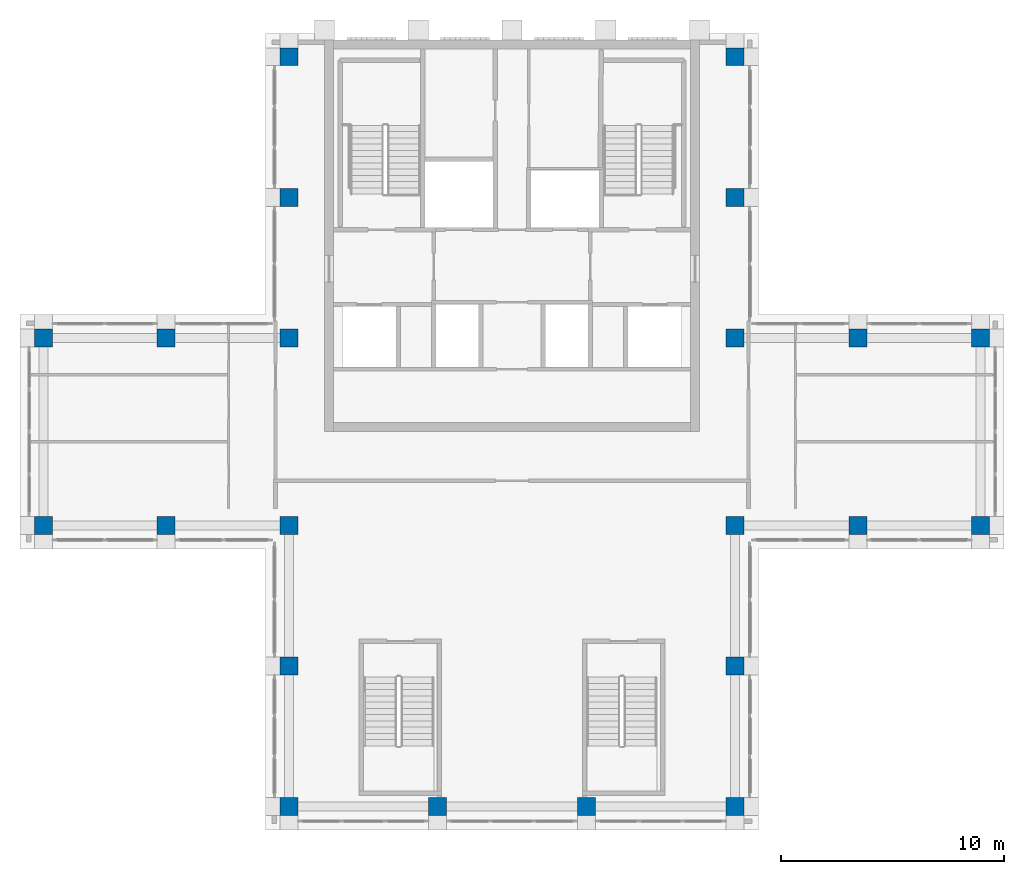
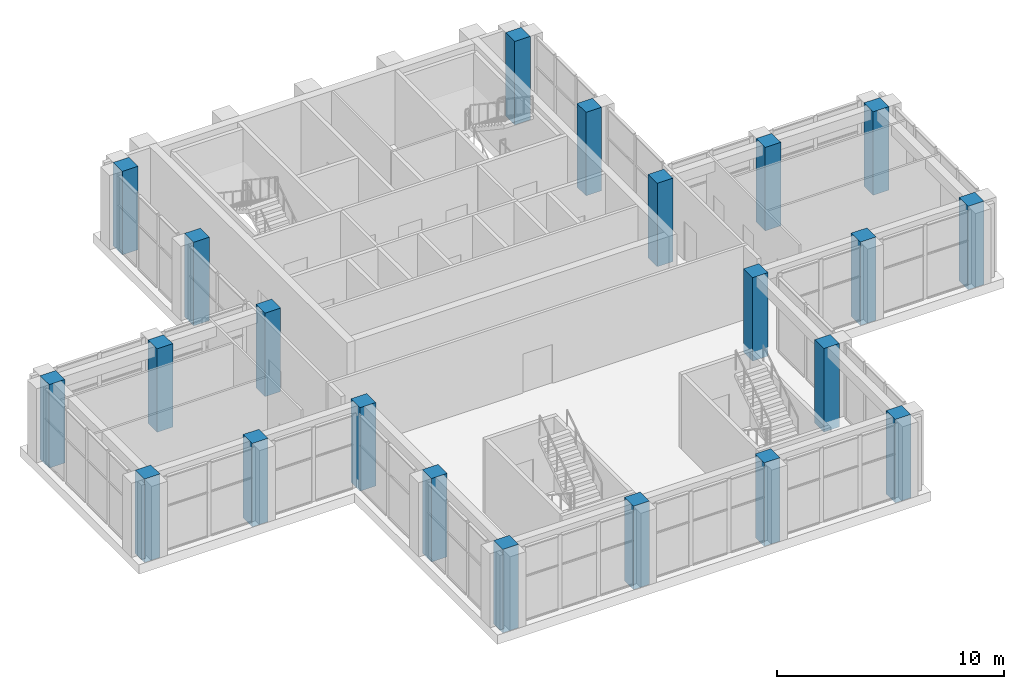
# One storey, part 1 of 14: 22 columns.
"""IFC4 building model written with IfcOpenShell, lengths in metres."""

from ifc_helpers import new_model, si_unit, direction, frame, origin, origin_2d, place, context, subcontext, project, spatial, rectangle, extrude, material, material_profile, profile_set, type_object, element, save


model = new_model("IFC4")

# Units and contexts
model_context = context("Model", 3, precision=1e-05, world=origin(), true_north=direction((0.0, 1.0)))
body_context = subcontext(model_context, "Body", "Model", "MODEL_VIEW")
ifc_project = project(units=[si_unit("LENGTHUNIT", "METRE"), si_unit("AREAUNIT", "SQUARE_METRE"), si_unit("VOLUMEUNIT", "CUBIC_METRE"), si_unit("PLANEANGLEUNIT", "RADIAN"), si_unit("MASSUNIT", "GRAM", prefix="KILO")], contexts=[model_context])

# Site, building, storey
site_placement = place(None, origin())
site = spatial("IfcSite", under=ifc_project, at=site_placement, CompositionType="ELEMENT")
building_placement = place(site_placement, origin())
building = spatial("IfcBuilding", under=site, at=building_placement, Name="Vermilion Ogive Tower", CompositionType="ELEMENT")
storey_placement = place(building_placement, frame((0.0, 0.0, 289.35009765625)))
storey = spatial("IfcBuildingStorey", under=building, at=storey_placement, Name="L75", CompositionType="ELEMENT", Elevation=289.35009765625)

# Columns
ifc_material = material(Name="Concrete B45", Category="concrete")
ifc_material_profile = material_profile(ifc_material, rectangle(XDim=0.800048828125, YDim=0.800048828125, at=origin_2d()), Name="800 x 800")
ifc_profile_set = profile_set([ifc_material_profile], Name="Concrete B45")
column_type = type_object("IfcColumnType", Name="Perimeter column 800 x 800 B45", PredefinedType="COLUMN", material=ifc_profile_set)
for number, where, z_axis, x_axis, name in (
    (1, (-10.0, -12.60009765625, -0.5), (0.0, 0.0, 1.0), (1.0, 0.0, 0.0), "COL-L75-P-0100-126"),
    (2, (-3.333251953125, -12.60009765625, -0.5), (0.0, 0.0, 1.0), (1.0, 0.0, 0.0), "COL-L75-P-0033-126"),
    (3, (3.333251953125, -12.60009765625, -0.5), (0.0, 0.0, 1.0), (1.0, 0.0, 0.0), "COL-L75-P+0033-126"),
    (4, (10.0, -12.60009765625, -0.5), (0.0, 0.0, 1.0), (1.0, 0.0, 0.0), "COL-L75-P+0100-126"),
    (5, (-10.0, -6.300048828125, -0.5), (0.0, 0.0, 1.0), (1.0, 0.0, 0.0), "COL-L75-P-0100-063"),
    (6, (10.0, -6.300048828125, -0.5), (0.0, 0.0, 1.0), (1.0, 0.0, 0.0), "COL-L75-P+0100-063"),
    (7, (-21.0, 0.0, -0.5), (0.0, 0.0, 1.0), (1.0, 0.0, 0.0), "COL-L75-P-0210+000"),
    (8, (-15.5, 0.0, -0.5), (0.0, 0.0, 1.0), (1.0, 0.0, 0.0), "COL-L75-P-0155+000"),
    (9, (-10.0, 0.0, -0.5), (0.0, 0.0, 1.0), (1.0, 0.0, 0.0), "COL-L75-P-0100+000"),
    (10, (10.0, 0.0, -0.5), (0.0, 0.0, 1.0), (1.0, 0.0, 0.0), "COL-L75-P+0100+000"),
    (11, (15.5, 0.0, -0.5), (0.0, 0.0, 1.0), (1.0, 0.0, 0.0), "COL-L75-P+0155+000"),
    (12, (21.0, 0.0, -0.5), (0.0, 0.0, 1.0), (1.0, 0.0, 0.0), "COL-L75-P+0210+000"),
    (13, (-21.0, 8.39990234375, -0.5), (0.0, 0.0, 1.0), (1.0, 0.0, 0.0), "COL-L75-P-0210+084"),
    (14, (-15.5, 8.39990234375, -0.5), (0.0, 0.0, 1.0), (1.0, 0.0, 0.0), "COL-L75-P-0155+084"),
    (15, (-10.0, 8.39990234375, -0.5), (0.0, 0.0, 1.0), (1.0, 0.0, 0.0), "COL-L75-P-0100+084"),
    (16, (10.0, 8.39990234375, -0.5), (0.0, 0.0, 1.0), (1.0, 0.0, 0.0), "COL-L75-P+0100+084"),
    (17, (15.5, 8.39990234375, -0.5), (0.0, 0.0, 1.0), (1.0, 0.0, 0.0), "COL-L75-P+0155+084"),
    (18, (21.0, 8.39990234375, -0.5), (0.0, 0.0, 1.0), (1.0, 0.0, 0.0), "COL-L75-P+0210+084"),
    (19, (-10.0, 14.699951171875, -0.5), (0.0, 0.0, 1.0), (1.0, 0.0, 0.0), "COL-L75-P-0100+147"),
    (20, (10.0, 14.699951171875, -0.5), (0.0, 0.0, 1.0), (1.0, 0.0, 0.0), "COL-L75-P+0100+147"),
    (21, (-10.0, 21.0, -0.5), (0.0, 0.0, 1.0), (1.0, 0.0, 0.0), "COL-L75-P-0100+210"),
    (22, (10.0, 21.0, -0.5), (0.0, 0.0, 1.0), (1.0, 0.0, 0.0), "COL-L75-P+0100+210"),
):
    element("IfcColumn", number, at=place(storey_placement, frame(where, z_axis=z_axis, x_axis=x_axis)), inside=storey, type_object=column_type, Name=name, PredefinedType="COLUMN", context=body_context, shape_type="SweptSolid", body=[
        extrude(rectangle(XDim=0.800048828125, YDim=0.800048828125, at=origin_2d()), origin(), (0.0, 0.0, 1.0), 4.5),
    ])

save(model, "model.ifc")
